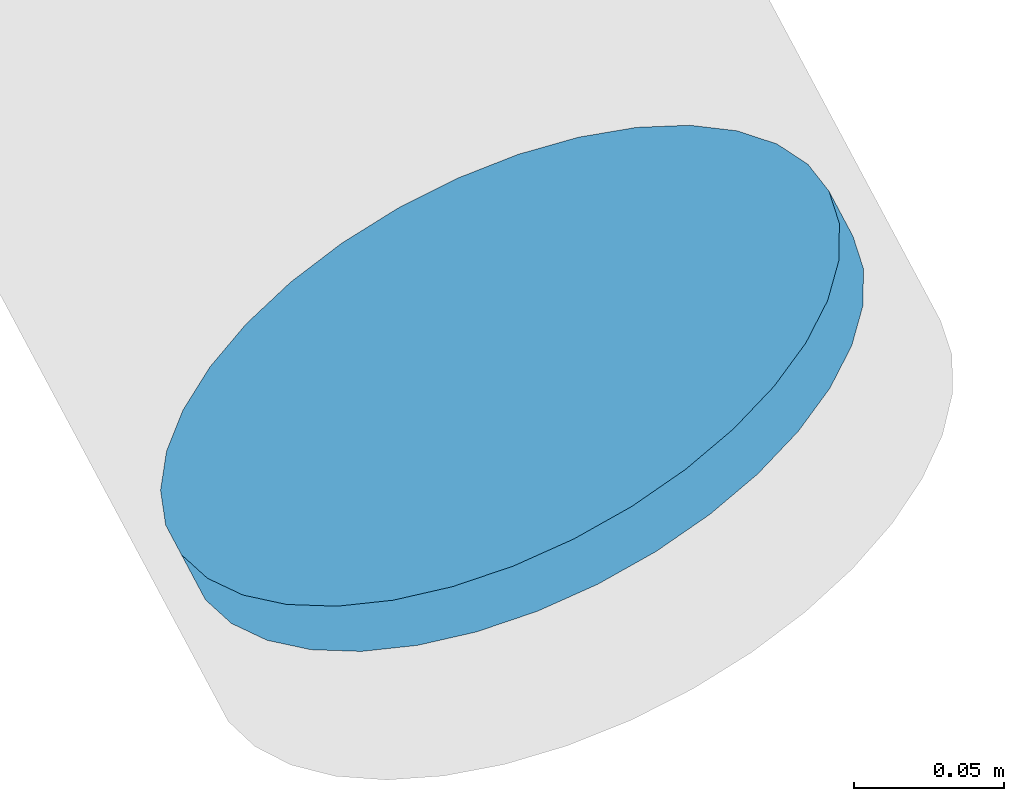
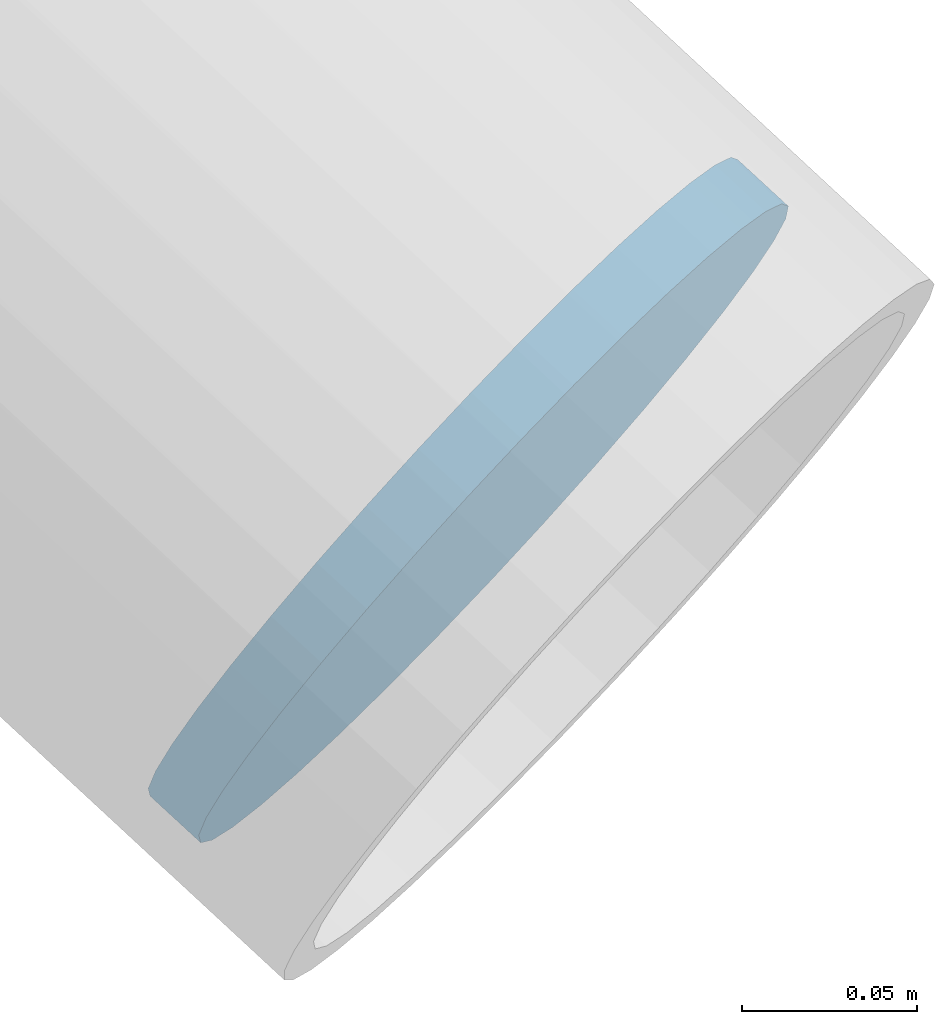
# One storey, part 30 of 37: 1 discrete accessory.
"""IFC4 building model written with IfcOpenShell, lengths in metres."""

from ifc_helpers import new_model, si_unit, direction, frame, origin, origin_2d, place, context, subcontext, project, spatial, circle, extrude, material, material_profile, profile_set, type_object, element, save


model = new_model("IFC4")

# Units and contexts
model_context = context("Model", 3, precision=1e-05, world=origin(), true_north=direction((0.0, 1.0)))
body_context = subcontext(model_context, "Body", "Model", "MODEL_VIEW")
ifc_project = project(units=[si_unit("LENGTHUNIT", "METRE"), si_unit("AREAUNIT", "SQUARE_METRE"), si_unit("VOLUMEUNIT", "CUBIC_METRE"), si_unit("PLANEANGLEUNIT", "RADIAN"), si_unit("MASSUNIT", "GRAM", prefix="KILO")], contexts=[model_context])

# Site, building, storey
site_placement = place(None, origin())
site = spatial("IfcSite", under=ifc_project, at=site_placement, CompositionType="ELEMENT")
building_placement = place(site_placement, origin())
building = spatial("IfcBuilding", under=site, at=building_placement, Name="Rimbun Link Towers", CompositionType="ELEMENT")
storey_placement = place(building_placement, frame((0.0, 0.0, 162.699951171875)))
storey = spatial("IfcBuildingStorey", under=building, at=storey_placement, Name="L39", CompositionType="ELEMENT", Elevation=162.699951171875)

# Discrete accessory
ifc_material = material(Name="Steel S355J2H", Category="steel")
ifc_material_profile = material_profile(ifc_material, circle(Radius=0.1240234375, at=origin_2d()), Name="PL D248")
ifc_profile_set = profile_set([ifc_material_profile], Name="Steel S355J2H")
discrete_accessory_type = type_object("IfcDiscreteAccessoryType", Name="Link foot sealing plate D248X20", PredefinedType="BRACKET", material=ifc_profile_set)
discrete_accessory_placement = place(storey_placement, frame((46.7109375, -15.896728515625, -2.065673828125), z_axis=(0.4057717842, -0.762359109709, -0.504140701582), x_axis=(0.882746759079, 0.469849081445, 0.0)))
element("IfcDiscreteAccessory", 1, at=discrete_accessory_placement, inside=storey, type_object=discrete_accessory_type, Name="Link foot sealing plate T2 L39 18", PredefinedType="BRACKET", context=body_context, shape_type="SweptSolid", body=[
    extrude(circle(Radius=0.1240234375, at=origin_2d()), origin(), (0.0, 0.0, 1.0), 0.019775390625),
])

save(model, "model.ifc")
